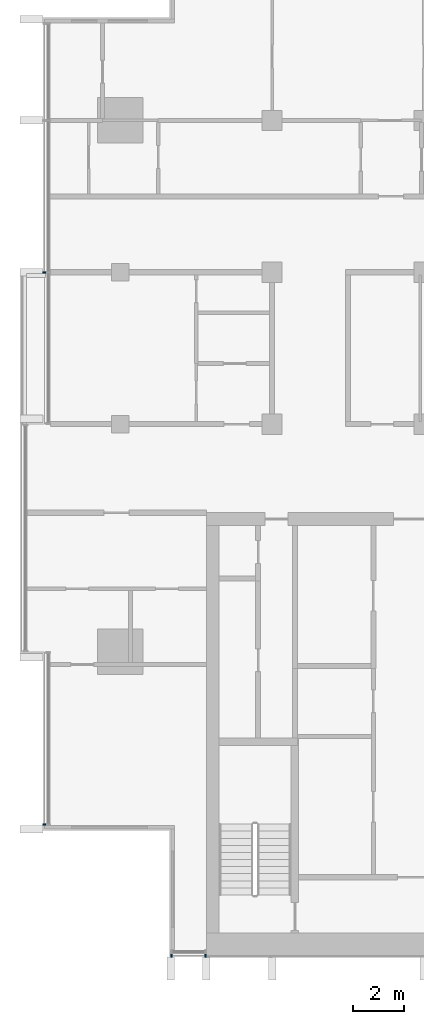
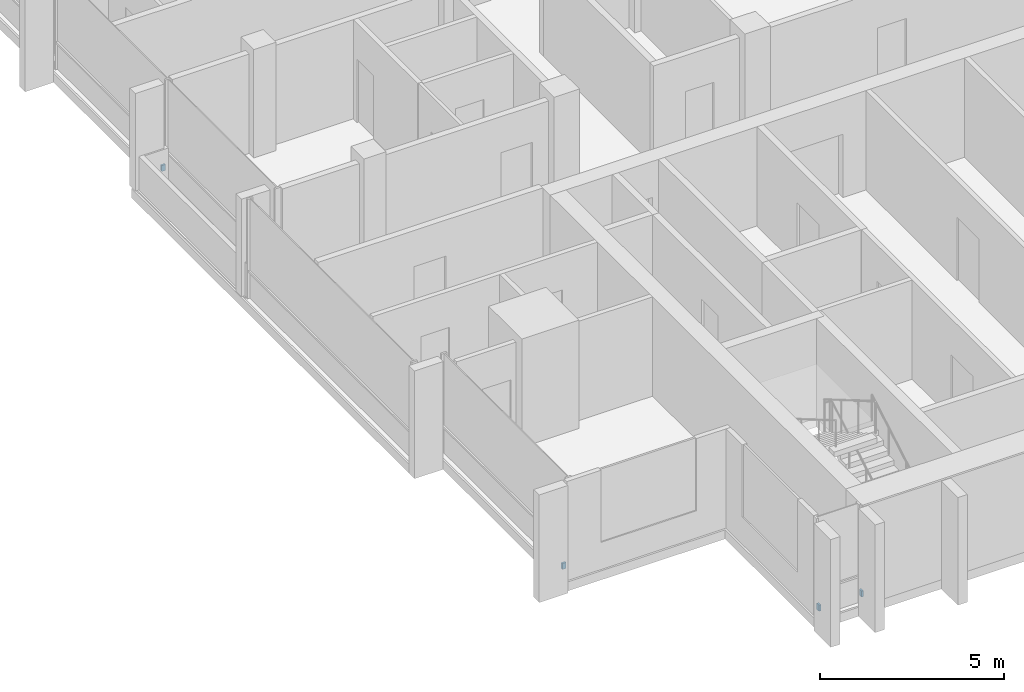
# One storey, part 12 of 16: 4 discrete accessories.
"""IFC4 building model written with IfcOpenShell, lengths in metres."""

from ifc_helpers import new_model, si_unit, direction, frame, origin, origin_2d, place, context, subcontext, project, spatial, rectangle, extrude, material, type_object, element, save


model = new_model("IFC4")

# Units and contexts
model_context = context("Model", 3, precision=1e-05, world=origin(), true_north=direction((0.0, 1.0)))
body_context = subcontext(model_context, "Body", "Model", "MODEL_VIEW")
ifc_project = project(units=[si_unit("LENGTHUNIT", "METRE"), si_unit("AREAUNIT", "SQUARE_METRE"), si_unit("VOLUMEUNIT", "CUBIC_METRE"), si_unit("PLANEANGLEUNIT", "RADIAN"), si_unit("MASSUNIT", "GRAM", prefix="KILO")], contexts=[model_context])

# Site, building, storey
site_placement = place(None, origin())
site = spatial("IfcSite", under=ifc_project, at=site_placement, CompositionType="ELEMENT")
building_placement = place(site_placement, origin())
building = spatial("IfcBuilding", under=site, at=building_placement, Name="Finial Court Residences", CompositionType="ELEMENT")
storey_placement = place(building_placement, frame((0.0, 0.0, 277.10009765625)))
storey = spatial("IfcBuildingStorey", under=building, at=storey_placement, Name="L70", CompositionType="ELEMENT", Elevation=277.10009765625)

# Discrete accessories
ifc_material = material(Name="Stainless steel 316", Category="steel")
discrete_accessory_type = type_object("IfcDiscreteAccessoryType", Name="Fin bracket, stainless steel 60 x 122 x 200", PredefinedType="BRACKET", material=ifc_material)
for number, where, z_axis, x_axis, name in (
    (1, (-14.469970703125, -25.498779296875, 0.2998046875), (0.0, 0.0, 1.0), (1.0, 0.0, 0.0), "E-L70-FIN-S13-BRK"),
    (2, (-13.1298828125, -25.498779296875, 0.2998046875), (0.0, 0.0, 1.0), (1.0, 0.0, 0.0), "E-L70-FIN-S14-BRK"),
):
    element("IfcDiscreteAccessory", number, at=place(storey_placement, frame(where, z_axis=z_axis, x_axis=x_axis)), inside=storey, type_object=discrete_accessory_type, Name=name, PredefinedType="BRACKET", context=body_context, shape_type="SweptSolid", body=[
        extrude(rectangle(XDim=0.06005859375, YDim=0.12255859375, at=origin_2d()), origin(), (0.0, 0.0, 1.0), 0.199951171875),
    ])
for number, where, z_axis, x_axis, name in (
    (3, (-19.498779296875, -20.320068359375, 0.2998046875), (0.0, 0.0, 1.0), (1.0, 0.0, 0.0), "E-L70-FIN-W21-BRK"),
    (4, (-19.498779296875, 1.5, 0.2998046875), (0.0, 0.0, 1.0), (1.0, 0.0, 0.0), "E-L70-FIN-W24-BRK"),
):
    element("IfcDiscreteAccessory", number, at=place(storey_placement, frame(where, z_axis=z_axis, x_axis=x_axis)), inside=storey, type_object=discrete_accessory_type, Name=name, PredefinedType="BRACKET", context=body_context, shape_type="SweptSolid", body=[
        extrude(rectangle(XDim=0.12255859375, YDim=0.06005859375, at=origin_2d()), origin(), (0.0, 0.0, 1.0), 0.199951171875),
    ])

save(model, "model.ifc")
